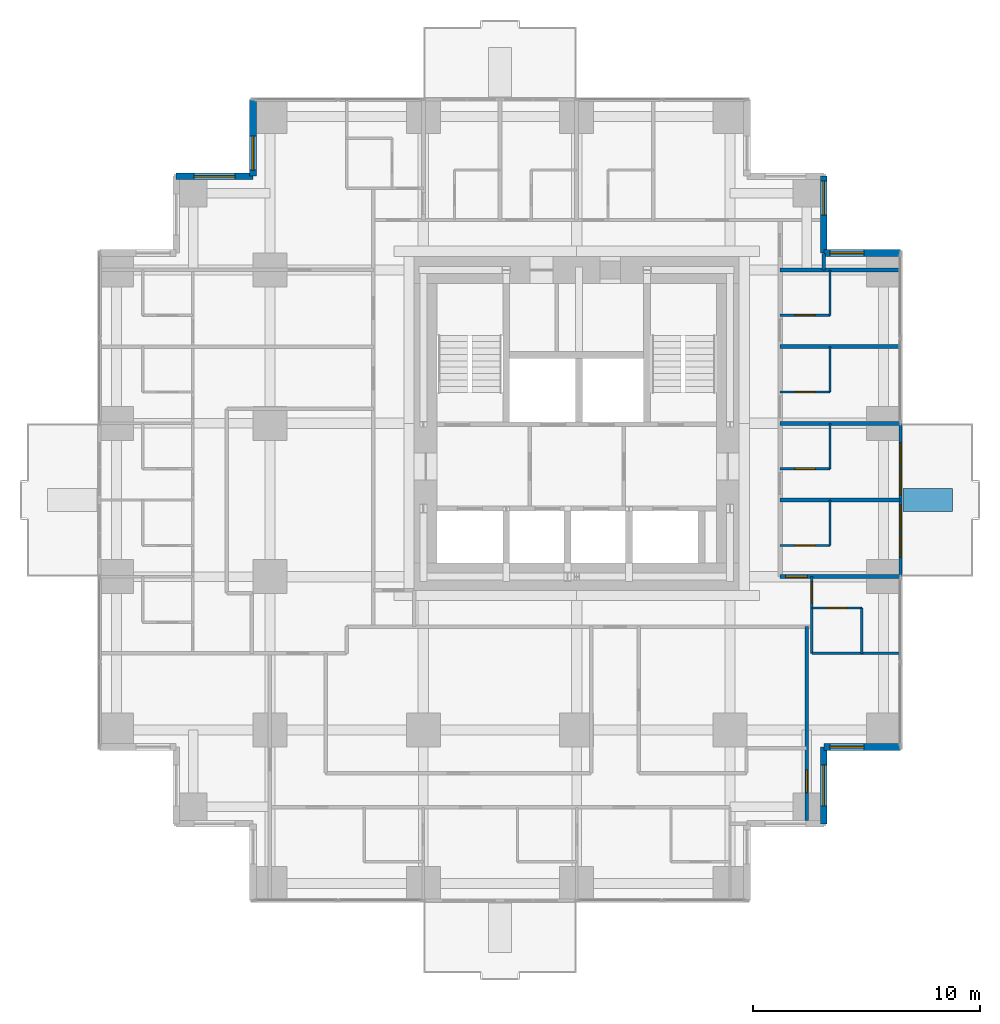
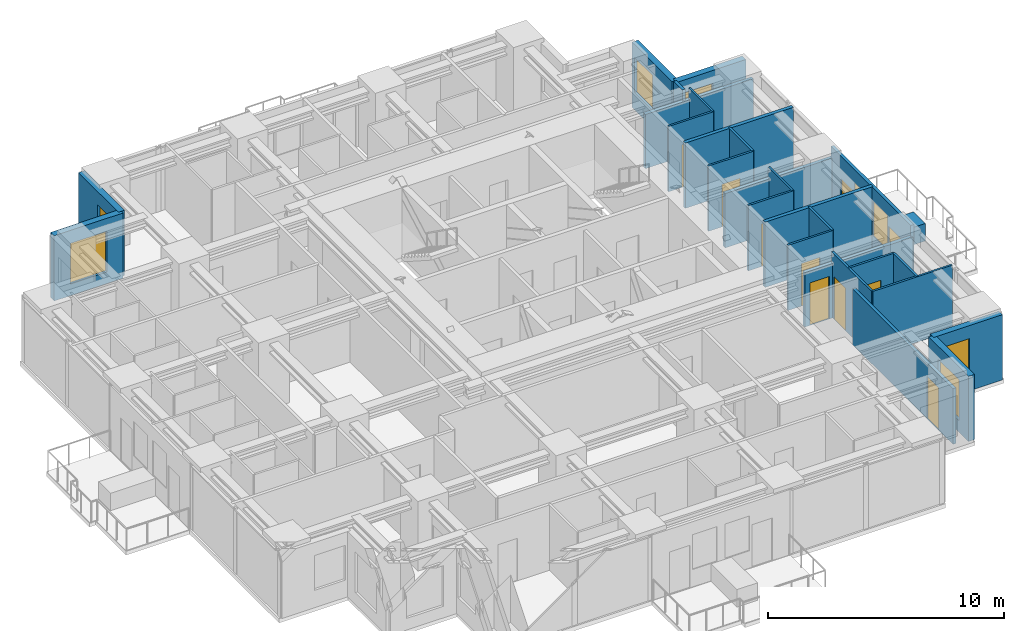
# One storey, part 8 of 10: 27 walls, 10 doors, 8 windows, 18 openings.
"""IFC4 building model written with IfcOpenShell, lengths in metres."""

from ifc_helpers import new_model, si_unit, direction, frame, frame_2d, origin, place, context, subcontext, project, spatial, rectangle, extrude, material, layer, layer_set, type_object, element, fill, save


model = new_model("IFC4")

# Units and contexts
model_context = context("Model", 3, precision=1e-05, world=origin(), true_north=direction((0.0, 1.0)))
body_context = subcontext(model_context, "Body", "Model", "MODEL_VIEW")
ifc_project = project(units=[si_unit("LENGTHUNIT", "METRE"), si_unit("AREAUNIT", "SQUARE_METRE"), si_unit("VOLUMEUNIT", "CUBIC_METRE"), si_unit("PLANEANGLEUNIT", "RADIAN"), si_unit("MASSUNIT", "GRAM", prefix="KILO")], contexts=[model_context])

# Site, building, storey
site_placement = place(None, origin())
site = spatial("IfcSite", under=ifc_project, at=site_placement, CompositionType="ELEMENT")
building_placement = place(site_placement, origin())
building = spatial("IfcBuilding", under=site, at=building_placement, Name="Nyansa Garden Tower", CompositionType="ELEMENT")
storey_placement = place(building_placement, frame((0.0, 0.0, 156.60009765625)))
storey = spatial("IfcBuildingStorey", under=building, at=storey_placement, Name="L42", CompositionType="ELEMENT", Elevation=156.60009765625)

# Wall, opening, door
ifc_material_1 = material(Name="Dense blockwork, plastered both sides, 55 dB", Category="masonry")
ifc_layer_1 = layer(ifc_material_1, 0.175048828125)
ifc_layer_set_1 = layer_set([ifc_layer_1], Name="Acoustic party wall PW175")
wall_type_1 = type_object("IfcWallType", Name="Acoustic party wall PW175", PredefinedType="PARTITIONING", material=ifc_layer_set_1)
wall_1_placement = place(storey_placement, frame((29.199951171875, 13.5, 0.0), z_axis=(0.0, 0.0, 1.0), x_axis=(1.0, 0.0, 0.0)))
wall_1 = element("IfcWall", 1, at=wall_1_placement, inside=storey, type_object=wall_type_1, Name="Party wall", PredefinedType="PARTITIONING", context=body_context, shape_type="SweptSolid", body=[
    extrude(rectangle(XDim=5.283935546875, YDim=0.175048828125, at=frame_2d((2.64208984375, 0.0))), origin(), (0.0, 0.0, 1.0), 2.805908203125),
])
opening_1_placement = place(wall_1_placement, frame((0.25, 0.0, 0.0)))
opening_1 = element("IfcOpeningElement", 2, at=opening_1_placement, cuts=wall_1, Name="Opening D14", PredefinedType="OPENING", context=body_context, shape_type="SweptSolid", body=[
    extrude(rectangle(XDim=0.949951171875, YDim=2.199951171875, at=frame_2d((0.47509765625, 1.10009765625))), frame((0.0, 0.097412109375, 0.0), z_axis=(0.0, -1.0, 0.0), x_axis=(1.0, 0.0, 0.0)), (0.0, 0.0, 1.0), 0.195068359375),
])
ifc_material_2 = material(Name="Timber flush door, 60 minute fire resisting, self-closing", Category="wood")
door_type_1 = type_object("IfcDoorType", Name="Studio entrance door D14 950x2200", OperationType="SINGLE_SWING_LEFT", PredefinedType="DOOR", material=ifc_material_2)
door_1_placement = place(opening_1_placement, origin())
door_1 = element("IfcDoor", 3, at=door_1_placement, inside=storey, type_object=door_type_1, Name="Door L42-030", OperationType="SINGLE_SWING_LEFT", OverallHeight=2.199951171875, OverallWidth=0.949951171875, PredefinedType="DOOR", context=body_context, shape_type="SweptSolid", body=[
    extrude(rectangle(XDim=0.949951171875, YDim=2.199951171875, at=frame_2d((0.47509765625, 1.10009765625))), frame((0.0, 0.02490234375, 0.0), z_axis=(0.0, -1.0, 0.0), x_axis=(1.0, 0.0, 0.0)), (0.0, 0.0, 1.0), 0.050048828125),
])
fill(opening_1, door_1)

# Walls
wall_2_placement = place(storey_placement, frame((29.199951171875, 16.875, 0.0), z_axis=(0.0, 0.0, 1.0), x_axis=(1.0, 0.0, 0.0)))
element("IfcWall", 4, at=wall_2_placement, inside=storey, type_object=wall_type_1, Name="Party wall", PredefinedType="PARTITIONING", context=body_context, shape_type="SweptSolid", body=[
    extrude(rectangle(XDim=5.283935546875, YDim=0.175048828125, at=frame_2d((2.64208984375, 0.0))), origin(), (0.0, 0.0, 1.0), 3.375),
])
wall_3_placement = place(storey_placement, frame((29.199951171875, 20.25, 0.0), z_axis=(0.0, 0.0, 1.0), x_axis=(1.0, 0.0, 0.0)))
element("IfcWall", 5, at=wall_3_placement, inside=storey, type_object=wall_type_1, Name="Party wall", PredefinedType="PARTITIONING", context=body_context, shape_type="SweptSolid", body=[
    extrude(rectangle(XDim=5.283935546875, YDim=0.175048828125, at=frame_2d((2.64208984375, 0.0))), origin(), (0.0, 0.0, 1.0), 2.805908203125),
])
wall_4_placement = place(storey_placement, frame((29.199951171875, 23.625, 0.0), z_axis=(0.0, 0.0, 1.0), x_axis=(1.0, 0.0, 0.0)))
element("IfcWall", 6, at=wall_4_placement, inside=storey, type_object=wall_type_1, Name="Party wall", PredefinedType="PARTITIONING", context=body_context, shape_type="SweptSolid", body=[
    extrude(rectangle(XDim=5.283935546875, YDim=0.175048828125, at=frame_2d((2.64208984375, 0.0))), origin(), (0.0, 0.0, 1.0), 3.375),
])
wall_5_placement = place(storey_placement, frame((29.199951171875, 27.0, 0.0), z_axis=(0.0, 0.0, 1.0), x_axis=(1.0, 0.0, 0.0)))
element("IfcWall", 7, at=wall_5_placement, inside=storey, type_object=wall_type_1, Name="Party wall", PredefinedType="PARTITIONING", context=body_context, shape_type="SweptSolid", body=[
    extrude(rectangle(XDim=5.283935546875, YDim=0.175048828125, at=frame_2d((2.64208984375, 0.0))), origin(), (0.0, 0.0, 1.0), 2.805908203125),
])

# Wall, openings, doors, windows
ifc_material_3 = material(Name="Black aluminium framed glazed screen", Category="aluminium")
ifc_layer_2 = layer(ifc_material_3, 0.14990234375)
ifc_layer_set_2 = layer_set([ifc_layer_2], Name="Balcony screen wall BW150")
wall_type_2 = type_object("IfcWallType", Name="Balcony screen wall BW150", PredefinedType="SOLIDWALL", material=ifc_layer_set_2)
wall_6_placement = place(storey_placement, frame((34.5, 20.25, 0.0), z_axis=(0.0, 0.0, 1.0), x_axis=(0.0, -1.0, 0.0)))
wall_6 = element("IfcWall", 8, at=wall_6_placement, inside=storey, type_object=wall_type_2, Name="Glazed screen wall L42 E", PredefinedType="SOLIDWALL", context=body_context, shape_type="SweptSolid", body=[
    extrude(rectangle(XDim=6.75, YDim=0.14990234375, at=frame_2d((3.375, 0.0))), origin(), (0.0, 0.0, 1.0), 3.375),
])
opening_2_placement = place(wall_6_placement, frame((0.862548828125, 0.0, 0.0)))
opening_2 = element("IfcOpeningElement", 9, at=opening_2_placement, cuts=wall_6, Name="Opening D20", PredefinedType="OPENING", context=body_context, shape_type="SweptSolid", body=[
    extrude(rectangle(XDim=1.0, YDim=2.199951171875, at=frame_2d((0.5, 1.10009765625))), frame((0.0, 0.0849609375, 0.0), z_axis=(0.0, -1.0, 0.0), x_axis=(1.0, 0.0, 0.0)), (0.0, 0.0, 1.0), 0.169921875),
])
opening_3_placement = place(wall_6_placement, frame((1.97509765625, 0.0, 0.89990234375)))
opening_3 = element("IfcOpeningElement", 10, at=opening_3_placement, cuts=wall_6, Name="Opening W6", PredefinedType="OPENING", context=body_context, shape_type="SweptSolid", body=[
    extrude(rectangle(XDim=1.199951171875, YDim=1.800048828125, at=frame_2d((0.60009765625, 0.89990234375))), frame((0.0, 0.0849609375, 0.0), z_axis=(0.0, -1.0, 0.0), x_axis=(1.0, 0.0, 0.0)), (0.0, 0.0, 1.0), 0.169921875),
])
opening_4_placement = place(wall_6_placement, frame((4.887451171875, 0.0, 0.0)))
opening_4 = element("IfcOpeningElement", 11, at=opening_4_placement, cuts=wall_6, Name="Opening D20", PredefinedType="OPENING", context=body_context, shape_type="SweptSolid", body=[
    extrude(rectangle(XDim=1.0, YDim=2.199951171875, at=frame_2d((0.5, 1.10009765625))), frame((0.0, 0.0849609375, 0.0), z_axis=(0.0, -1.0, 0.0), x_axis=(1.0, 0.0, 0.0)), (0.0, 0.0, 1.0), 0.169921875),
])
opening_5_placement = place(wall_6_placement, frame((3.574951171875, 0.0, 0.89990234375)))
opening_5 = element("IfcOpeningElement", 12, at=opening_5_placement, cuts=wall_6, Name="Opening W6", PredefinedType="OPENING", context=body_context, shape_type="SweptSolid", body=[
    extrude(rectangle(XDim=1.199951171875, YDim=1.800048828125, at=frame_2d((0.60009765625, 0.89990234375))), frame((0.0, 0.0849609375, 0.0), z_axis=(0.0, -1.0, 0.0), x_axis=(1.0, 0.0, 0.0)), (0.0, 0.0, 1.0), 0.169921875),
])
ifc_material_4 = material(Name="Black aluminium framed glazed door", Category="aluminium")
door_type_2 = type_object("IfcDoorType", Name="Balcony door D20 1000x2200", OperationType="NOTDEFINED", PredefinedType="DOOR", material=ifc_material_4)
door_2_placement = place(opening_2_placement, origin())
door_2 = element("IfcDoor", 13, at=door_2_placement, inside=storey, type_object=door_type_2, Name="Balcony door L42", OperationType="SINGLE_SWING_LEFT", OverallHeight=2.199951171875, OverallWidth=1.0, PredefinedType="DOOR", context=body_context, shape_type="SweptSolid", body=[
    extrude(rectangle(XDim=1.0, YDim=2.199951171875, at=frame_2d((0.5, 1.10009765625))), frame((0.0, 0.02490234375, 0.0), z_axis=(0.0, -1.0, 0.0), x_axis=(1.0, 0.0, 0.0)), (0.0, 0.0, 1.0), 0.050048828125),
])
fill(opening_2, door_2)
door_3_placement = place(opening_4_placement, origin())
door_3 = element("IfcDoor", 14, at=door_3_placement, inside=storey, type_object=door_type_2, Name="Balcony door L42", OperationType="SINGLE_SWING_RIGHT", OverallHeight=2.199951171875, OverallWidth=1.0, PredefinedType="DOOR", context=body_context, shape_type="SweptSolid", body=[
    extrude(rectangle(XDim=1.0, YDim=2.199951171875, at=frame_2d((0.5, 1.10009765625))), frame((0.0, 0.02490234375, 0.0), z_axis=(0.0, -1.0, 0.0), x_axis=(1.0, 0.0, 0.0)), (0.0, 0.0, 1.0), 0.050048828125),
])
fill(opening_4, door_3)
ifc_material_5 = material(Name="Black aluminium frame, dark tinted double glazing", Category="aluminium")
window_type_1 = type_object("IfcWindowType", Name="Balcony window W6 1200x1800", PartitioningType="SINGLE_PANEL", PredefinedType="WINDOW", material=ifc_material_5)
window_1_placement = place(opening_3_placement, origin())
window_1 = element("IfcWindow", 15, at=window_1_placement, inside=storey, type_object=window_type_1, Name="Window L42", OverallHeight=1.800048828125, OverallWidth=1.199951171875, PartitioningType="SINGLE_PANEL", PredefinedType="WINDOW", context=body_context, shape_type="SweptSolid", body=[
    extrude(rectangle(XDim=1.199951171875, YDim=1.800048828125, at=frame_2d((0.60009765625, 0.89990234375))), frame((0.0, 0.030029296875, 0.0), z_axis=(0.0, -1.0, 0.0), x_axis=(1.0, 0.0, 0.0)), (0.0, 0.0, 1.0), 0.06005859375),
])
fill(opening_3, window_1)
window_2_placement = place(opening_5_placement, origin())
window_2 = element("IfcWindow", 16, at=window_2_placement, inside=storey, type_object=window_type_1, Name="Window L42", OverallHeight=1.800048828125, OverallWidth=1.199951171875, PartitioningType="SINGLE_PANEL", PredefinedType="WINDOW", context=body_context, shape_type="SweptSolid", body=[
    extrude(rectangle(XDim=1.199951171875, YDim=1.800048828125, at=frame_2d((0.60009765625, 0.89990234375))), frame((0.0, 0.030029296875, 0.0), z_axis=(0.0, -1.0, 0.0), x_axis=(1.0, 0.0, 0.0)), (0.0, 0.0, 1.0), 0.06005859375),
])
fill(opening_5, window_2)

# Wall, opening, door
ifc_material_6 = material(Name="Blockwork, plastered both sides", Category="masonry")
ifc_layer_3 = layer(ifc_material_6, 0.14990234375)
ifc_layer_set_3 = layer_set([ifc_layer_3], Name="Partition PW150")
wall_type_3 = type_object("IfcWallType", Name="Partition PW150", PredefinedType="PARTITIONING", material=ifc_layer_set_3)
wall_7_placement = place(storey_placement, frame((30.375, 2.77490234375, 0.0), z_axis=(0.0, 0.0, 1.0), x_axis=(0.0, 1.0, 0.0)))
wall_7 = element("IfcWall", 17, at=wall_7_placement, inside=storey, type_object=wall_type_3, Name="Partition", PredefinedType="PARTITIONING", context=body_context, shape_type="SweptSolid", body=[
    extrude(rectangle(XDim=8.525146484375, YDim=0.14990234375, at=frame_2d((4.2626953125, 0.0))), origin(), (0.0, 0.0, 1.0), 2.876953125),
])
opening_6_placement = place(wall_7_placement, frame((1.216064453125, 0.0, 0.0)))
opening_6 = element("IfcOpeningElement", 18, at=opening_6_placement, cuts=wall_7, Name="Opening D03", PredefinedType="OPENING", context=body_context, shape_type="SweptSolid", body=[
    extrude(rectangle(XDim=1.0, YDim=2.199951171875, at=frame_2d((0.5, 1.10009765625))), frame((0.0, 0.0849609375, 0.0), z_axis=(0.0, -1.0, 0.0), x_axis=(1.0, 0.0, 0.0)), (0.0, 0.0, 1.0), 0.169921875),
])
ifc_material_7 = material(Name="Timber flush door, 60 minute fire resisting", Category="wood")
door_type_3 = type_object("IfcDoorType", Name="Cluster entrance door D03 1000x2200", OperationType="SINGLE_SWING_LEFT", PredefinedType="DOOR", material=ifc_material_7)
door_4_placement = place(opening_6_placement, origin())
door_4 = element("IfcDoor", 19, at=door_4_placement, inside=storey, type_object=door_type_3, Name="Door L42-027", OperationType="SINGLE_SWING_LEFT", OverallHeight=2.199951171875, OverallWidth=1.0, PredefinedType="DOOR", context=body_context, shape_type="SweptSolid", body=[
    extrude(rectangle(XDim=1.0, YDim=2.199951171875, at=frame_2d((0.5, 1.10009765625))), frame((0.0, 0.02490234375, 0.0), z_axis=(0.0, -1.0, 0.0), x_axis=(1.0, 0.0, 0.0)), (0.0, 0.0, 1.0), 0.050048828125),
])
fill(opening_6, door_4)

# Wall
wall_8_placement = place(storey_placement, frame((31.125, 27.0, 0.0), z_axis=(0.0, 0.0, 1.0), x_axis=(0.0, 1.0, 0.0)))
element("IfcWall", 20, at=wall_8_placement, inside=storey, type_object=wall_type_3, Name="Partition", PredefinedType="PARTITIONING", context=body_context, shape_type="SweptSolid", body=[
    extrude(rectangle(XDim=0.73388671875, YDim=0.14990234375, at=frame_2d((0.366943359375, 0.0))), origin(), (0.0, 0.0, 1.0), 3.375),
])

# Wall, opening, window
ifc_material_8 = material(Name="Turquoise glazed tile on concrete blockwork", Category="masonry")
ifc_layer_4 = layer(ifc_material_8, 0.300048828125)
ifc_layer_set_4 = layer_set([ifc_layer_4], Name="Tiled corner wall TW300")
wall_type_4 = type_object("IfcWallType", Name="Tiled corner wall TW300", PredefinedType="SOLIDWALL", material=ifc_layer_set_4)
wall_9_placement = place(storey_placement, frame((34.5, 27.75, 0.0), z_axis=(0.0, 0.0, 1.0), x_axis=(-1.0, 0.0, 0.0)))
wall_9 = element("IfcWall", 21, at=wall_9_placement, inside=storey, type_object=wall_type_4, Name="Tiled corner wall L42", PredefinedType="SOLIDWALL", context=body_context, shape_type="SweptSolid", body=[
    extrude(rectangle(XDim=3.375, YDim=0.300048828125, at=frame_2d((1.6875, 0.0))), origin(), (0.0, 0.0, 1.0), 3.375),
])
opening_7_placement = place(wall_9_placement, frame((1.607421875, 0.0, 0.89990234375)))
opening_7 = element("IfcOpeningElement", 22, at=opening_7_placement, cuts=wall_9, Name="Opening W1", PredefinedType="OPENING", context=body_context, shape_type="SweptSolid", body=[
    extrude(rectangle(XDim=1.5, YDim=1.800048828125, at=frame_2d((0.75, 0.89990234375))), frame((0.0, 0.159912109375, 0.0), z_axis=(0.0, -1.0, 0.0), x_axis=(1.0, 0.0, 0.0)), (0.0, 0.0, 1.0), 0.320068359375),
])
ifc_material_9 = material(Name="Black aluminium frame, dark tinted double glazing", Category="aluminium")
window_type_2 = type_object("IfcWindowType", Name="Window W1 1500x1800", PartitioningType="SINGLE_PANEL", PredefinedType="WINDOW", material=ifc_material_9)
window_3_placement = place(opening_7_placement, origin())
window_3 = element("IfcWindow", 23, at=window_3_placement, inside=storey, type_object=window_type_2, Name="Corner window L42", OverallHeight=1.800048828125, OverallWidth=1.5, PartitioningType="SINGLE_PANEL", PredefinedType="WINDOW", context=body_context, shape_type="SweptSolid", body=[
    extrude(rectangle(XDim=1.5, YDim=1.800048828125, at=frame_2d((0.75, 0.89990234375))), frame((0.0, 0.030029296875, 0.0), z_axis=(0.0, -1.0, 0.0), x_axis=(1.0, 0.0, 0.0)), (0.0, 0.0, 1.0), 0.06005859375),
])
fill(opening_7, window_3)

wall_10_placement = place(storey_placement, frame((31.125, 27.75, 0.0), z_axis=(0.0, 0.0, 1.0), x_axis=(0.0, 1.0, 0.0)))
wall_10 = element("IfcWall", 24, at=wall_10_placement, inside=storey, type_object=wall_type_4, Name="Tiled corner wall L42", PredefinedType="SOLIDWALL", context=body_context, shape_type="SweptSolid", body=[
    extrude(rectangle(XDim=3.375, YDim=0.300048828125, at=frame_2d((1.6875, 0.0))), origin(), (0.0, 0.0, 1.0), 3.375),
])
opening_8_placement = place(wall_10_placement, frame((1.66259765625, 0.0, 0.89990234375)))
opening_8 = element("IfcOpeningElement", 25, at=opening_8_placement, cuts=wall_10, Name="Opening W1", PredefinedType="OPENING", context=body_context, shape_type="SweptSolid", body=[
    extrude(rectangle(XDim=1.5, YDim=1.800048828125, at=frame_2d((0.75, 0.89990234375))), frame((0.0, 0.159912109375, 0.0), z_axis=(0.0, -1.0, 0.0), x_axis=(1.0, 0.0, 0.0)), (0.0, 0.0, 1.0), 0.320068359375),
])
window_4_placement = place(opening_8_placement, origin())
window_4 = element("IfcWindow", 26, at=window_4_placement, inside=storey, type_object=window_type_2, Name="Corner window L42", OverallHeight=1.800048828125, OverallWidth=1.5, PartitioningType="SINGLE_PANEL", PredefinedType="WINDOW", context=body_context, shape_type="SweptSolid", body=[
    extrude(rectangle(XDim=1.5, YDim=1.800048828125, at=frame_2d((0.75, 0.89990234375))), frame((0.0, 0.030029296875, 0.0), z_axis=(0.0, -1.0, 0.0), x_axis=(1.0, 0.0, 0.0)), (0.0, 0.0, 1.0), 0.06005859375),
])
fill(opening_8, window_4)

wall_11_placement = place(storey_placement, frame((6.0, 34.5, 0.0), z_axis=(0.0, 0.0, 1.0), x_axis=(0.0, -1.0, 0.0)))
wall_11 = element("IfcWall", 27, at=wall_11_placement, inside=storey, type_object=wall_type_4, Name="Tiled corner wall L42", PredefinedType="SOLIDWALL", context=body_context, shape_type="SweptSolid", body=[
    extrude(rectangle(XDim=3.375, YDim=0.300048828125, at=frame_2d((1.6875, 0.0))), origin(), (0.0, 0.0, 1.0), 3.375),
])
opening_9_placement = place(wall_11_placement, frame((1.607421875, 0.0, 0.89990234375)))
opening_9 = element("IfcOpeningElement", 28, at=opening_9_placement, cuts=wall_11, Name="Opening W1", PredefinedType="OPENING", context=body_context, shape_type="SweptSolid", body=[
    extrude(rectangle(XDim=1.5, YDim=1.800048828125, at=frame_2d((0.75, 0.89990234375))), frame((0.0, 0.159912109375, 0.0), z_axis=(0.0, -1.0, 0.0), x_axis=(1.0, 0.0, 0.0)), (0.0, 0.0, 1.0), 0.320068359375),
])
window_5_placement = place(opening_9_placement, origin())
window_5 = element("IfcWindow", 29, at=window_5_placement, inside=storey, type_object=window_type_2, Name="Corner window L42", OverallHeight=1.800048828125, OverallWidth=1.5, PartitioningType="SINGLE_PANEL", PredefinedType="WINDOW", context=body_context, shape_type="SweptSolid", body=[
    extrude(rectangle(XDim=1.5, YDim=1.800048828125, at=frame_2d((0.75, 0.89990234375))), frame((0.0, 0.030029296875, 0.0), z_axis=(0.0, -1.0, 0.0), x_axis=(1.0, 0.0, 0.0)), (0.0, 0.0, 1.0), 0.06005859375),
])
fill(opening_9, window_5)

wall_12_placement = place(storey_placement, frame((6.0, 31.125, 0.0), z_axis=(0.0, 0.0, 1.0), x_axis=(-1.0, 0.0, 0.0)))
wall_12 = element("IfcWall", 30, at=wall_12_placement, inside=storey, type_object=wall_type_4, Name="Tiled corner wall L42", PredefinedType="SOLIDWALL", context=body_context, shape_type="SweptSolid", body=[
    extrude(rectangle(XDim=3.375, YDim=0.300048828125, at=frame_2d((1.6875, 0.0))), origin(), (0.0, 0.0, 1.0), 3.375),
])
opening_10_placement = place(wall_12_placement, frame((0.78759765625, 0.0, 0.60009765625)))
opening_10 = element("IfcOpeningElement", 31, at=opening_10_placement, cuts=wall_12, Name="Opening W2", PredefinedType="OPENING", context=body_context, shape_type="SweptSolid", body=[
    extrude(rectangle(XDim=1.800048828125, YDim=2.10009765625, at=frame_2d((0.89990234375, 1.050048828125))), frame((0.0, 0.159912109375, 0.0), z_axis=(0.0, -1.0, 0.0), x_axis=(1.0, 0.0, 0.0)), (0.0, 0.0, 1.0), 0.320068359375),
])
ifc_material_10 = material(Name="Black aluminium frame, dark tinted double glazing", Category="aluminium")
window_type_3 = type_object("IfcWindowType", Name="Window W2 1800x2100", PartitioningType="SINGLE_PANEL", PredefinedType="WINDOW", material=ifc_material_10)
window_6_placement = place(opening_10_placement, origin())
window_6 = element("IfcWindow", 32, at=window_6_placement, inside=storey, type_object=window_type_3, Name="Corner window L42", OverallHeight=2.10009765625, OverallWidth=1.800048828125, PartitioningType="SINGLE_PANEL", PredefinedType="WINDOW", context=body_context, shape_type="SweptSolid", body=[
    extrude(rectangle(XDim=1.800048828125, YDim=2.10009765625, at=frame_2d((0.89990234375, 1.050048828125))), frame((0.0, 0.030029296875, 0.0), z_axis=(0.0, -1.0, 0.0), x_axis=(1.0, 0.0, 0.0)), (0.0, 0.0, 1.0), 0.06005859375),
])
fill(opening_10, window_6)

wall_13_placement = place(storey_placement, frame((31.125, 2.625, 0.0), z_axis=(0.0, 0.0, 1.0), x_axis=(0.0, 1.0, 0.0)))
wall_13 = element("IfcWall", 33, at=wall_13_placement, inside=storey, type_object=wall_type_4, Name="Tiled corner wall L42", PredefinedType="SOLIDWALL", context=body_context, shape_type="SweptSolid", body=[
    extrude(rectangle(XDim=3.375, YDim=0.300048828125, at=frame_2d((1.6875, 0.0))), origin(), (0.0, 0.0, 1.0), 3.375),
])
opening_11_placement = place(wall_13_placement, frame((0.78759765625, 0.0, 0.60009765625)))
opening_11 = element("IfcOpeningElement", 34, at=opening_11_placement, cuts=wall_13, Name="Opening W2", PredefinedType="OPENING", context=body_context, shape_type="SweptSolid", body=[
    extrude(rectangle(XDim=1.800048828125, YDim=2.10009765625, at=frame_2d((0.89990234375, 1.050048828125))), frame((0.0, 0.159912109375, 0.0), z_axis=(0.0, -1.0, 0.0), x_axis=(1.0, 0.0, 0.0)), (0.0, 0.0, 1.0), 0.320068359375),
])
window_7_placement = place(opening_11_placement, origin())
window_7 = element("IfcWindow", 35, at=window_7_placement, inside=storey, type_object=window_type_3, Name="Corner window L42", OverallHeight=2.10009765625, OverallWidth=1.800048828125, PartitioningType="SINGLE_PANEL", PredefinedType="WINDOW", context=body_context, shape_type="SweptSolid", body=[
    extrude(rectangle(XDim=1.800048828125, YDim=2.10009765625, at=frame_2d((0.89990234375, 1.050048828125))), frame((0.0, 0.030029296875, 0.0), z_axis=(0.0, -1.0, 0.0), x_axis=(1.0, 0.0, 0.0)), (0.0, 0.0, 1.0), 0.06005859375),
])
fill(opening_11, window_7)

wall_14_placement = place(storey_placement, frame((31.125, 6.0, 0.0), z_axis=(0.0, 0.0, 1.0), x_axis=(1.0, 0.0, 0.0)))
wall_14 = element("IfcWall", 36, at=wall_14_placement, inside=storey, type_object=wall_type_4, Name="Tiled corner wall L42", PredefinedType="SOLIDWALL", context=body_context, shape_type="SweptSolid", body=[
    extrude(rectangle(XDim=3.375, YDim=0.300048828125, at=frame_2d((1.6875, 0.0))), origin(), (0.0, 0.0, 1.0), 3.375),
])
opening_12_placement = place(wall_14_placement, frame((0.267578125, 0.0, 0.89990234375)))
opening_12 = element("IfcOpeningElement", 37, at=opening_12_placement, cuts=wall_14, Name="Opening W1", PredefinedType="OPENING", context=body_context, shape_type="SweptSolid", body=[
    extrude(rectangle(XDim=1.5, YDim=1.800048828125, at=frame_2d((0.75, 0.89990234375))), frame((0.0, 0.159912109375, 0.0), z_axis=(0.0, -1.0, 0.0), x_axis=(1.0, 0.0, 0.0)), (0.0, 0.0, 1.0), 0.320068359375),
])
window_8_placement = place(opening_12_placement, origin())
window_8 = element("IfcWindow", 38, at=window_8_placement, inside=storey, type_object=window_type_2, Name="Corner window L42", OverallHeight=1.800048828125, OverallWidth=1.5, PartitioningType="SINGLE_PANEL", PredefinedType="WINDOW", context=body_context, shape_type="SweptSolid", body=[
    extrude(rectangle(XDim=1.5, YDim=1.800048828125, at=frame_2d((0.75, 0.89990234375))), frame((0.0, 0.030029296875, 0.0), z_axis=(0.0, -1.0, 0.0), x_axis=(1.0, 0.0, 0.0)), (0.0, 0.0, 1.0), 0.06005859375),
])
fill(opening_12, window_8)

# Wall
ifc_material_11 = material(Name="Concrete C40/50 planter, waterproofed", Category="concrete")
ifc_layer_5 = layer(ifc_material_11, 1.0)
ifc_layer_set_5 = layer_set([ifc_layer_5], Name="Tree planter TP1")
wall_type_5 = type_object("IfcWallType", Name="Tree planter TP1", PredefinedType="USERDEFINED", material=ifc_layer_set_5)
wall_15_placement = place(storey_placement, frame((34.60009765625, 16.875, 0.0), z_axis=(0.0, 0.0, 1.0), x_axis=(1.0, 0.0, 0.0)))
element("IfcWall", 39, at=wall_15_placement, inside=storey, type_object=wall_type_5, Name="Tree planter L42", ObjectType="TREE PLANTER", PredefinedType="USERDEFINED", context=body_context, shape_type="SweptSolid", body=[
    extrude(rectangle(XDim=2.199951171875, YDim=1.0, at=frame_2d((1.10009765625, 0.0))), origin(), (0.0, 0.0, 1.0), 0.89990234375),
])

# Wall, opening, door
ifc_material_12 = material(Name="Moisture resistant board on steel studs, tiled", Category="steel")
ifc_layer_6 = layer(ifc_material_12, 0.10009765625)
ifc_layer_set_6 = layer_set([ifc_layer_6], Name="Wet wall PW100")
wall_type_6 = type_object("IfcWallType", Name="Wet wall PW100", PredefinedType="PARTITIONING", material=ifc_layer_set_6)
wall_16_placement = place(storey_placement, frame((29.199951171875, 14.875, 0.0), z_axis=(0.0, 0.0, 1.0), x_axis=(1.0, 0.0, 0.0)))
wall_16 = element("IfcWall", 40, at=wall_16_placement, inside=storey, type_object=wall_type_6, Name="Wet wall", PredefinedType="PARTITIONING", context=body_context, shape_type="SweptSolid", body=[
    extrude(rectangle(XDim=2.199951171875, YDim=0.10009765625, at=frame_2d((1.10009765625, 0.0))), origin(), (0.0, 0.0, 1.0), 3.375),
])
opening_13_placement = place(wall_16_placement, frame((0.64990234375, 0.0, 0.0)))
opening_13 = element("IfcOpeningElement", 41, at=opening_13_placement, cuts=wall_16, Name="Opening D02", PredefinedType="OPENING", context=body_context, shape_type="SweptSolid", body=[
    extrude(rectangle(XDim=0.89990234375, YDim=2.199951171875, at=frame_2d((0.449951171875, 1.10009765625))), frame((0.0, 0.06005859375, 0.0), z_axis=(0.0, -1.0, 0.0), x_axis=(1.0, 0.0, 0.0)), (0.0, 0.0, 1.0), 0.1201171875),
])
ifc_material_13 = material(Name="Timber flush door", Category="wood")
door_type_4 = type_object("IfcDoorType", Name="En-suite door D02 900x2200", OperationType="SINGLE_SWING_RIGHT", PredefinedType="DOOR", material=ifc_material_13)
door_5_placement = place(opening_13_placement, origin())
door_5 = element("IfcDoor", 42, at=door_5_placement, inside=storey, type_object=door_type_4, Name="Door L42-031", OperationType="SINGLE_SWING_RIGHT", OverallHeight=2.199951171875, OverallWidth=0.89990234375, PredefinedType="DOOR", context=body_context, shape_type="SweptSolid", body=[
    extrude(rectangle(XDim=0.89990234375, YDim=2.199951171875, at=frame_2d((0.449951171875, 1.10009765625))), frame((0.0, 0.02490234375, 0.0), z_axis=(0.0, -1.0, 0.0), x_axis=(1.0, 0.0, 0.0)), (0.0, 0.0, 1.0), 0.050048828125),
])
fill(opening_13, door_5)

wall_17_placement = place(storey_placement, frame((29.199951171875, 18.25, 0.0), z_axis=(0.0, 0.0, 1.0), x_axis=(1.0, 0.0, 0.0)))
wall_17 = element("IfcWall", 43, at=wall_17_placement, inside=storey, type_object=wall_type_6, Name="Wet wall", PredefinedType="PARTITIONING", context=body_context, shape_type="SweptSolid", body=[
    extrude(rectangle(XDim=2.199951171875, YDim=0.10009765625, at=frame_2d((1.10009765625, 0.0))), origin(), (0.0, 0.0, 1.0), 3.375),
])
opening_14_placement = place(wall_17_placement, frame((0.64990234375, 0.0, 0.0)))
opening_14 = element("IfcOpeningElement", 44, at=opening_14_placement, cuts=wall_17, Name="Opening D02", PredefinedType="OPENING", context=body_context, shape_type="SweptSolid", body=[
    extrude(rectangle(XDim=0.89990234375, YDim=2.199951171875, at=frame_2d((0.449951171875, 1.10009765625))), frame((0.0, 0.06005859375, 0.0), z_axis=(0.0, -1.0, 0.0), x_axis=(1.0, 0.0, 0.0)), (0.0, 0.0, 1.0), 0.1201171875),
])
door_6_placement = place(opening_14_placement, origin())
door_6 = element("IfcDoor", 45, at=door_6_placement, inside=storey, type_object=door_type_4, Name="Door L42-033", OperationType="SINGLE_SWING_RIGHT", OverallHeight=2.199951171875, OverallWidth=0.89990234375, PredefinedType="DOOR", context=body_context, shape_type="SweptSolid", body=[
    extrude(rectangle(XDim=0.89990234375, YDim=2.199951171875, at=frame_2d((0.449951171875, 1.10009765625))), frame((0.0, 0.02490234375, 0.0), z_axis=(0.0, -1.0, 0.0), x_axis=(1.0, 0.0, 0.0)), (0.0, 0.0, 1.0), 0.050048828125),
])
fill(opening_14, door_6)

wall_18_placement = place(storey_placement, frame((29.199951171875, 21.625, 0.0), z_axis=(0.0, 0.0, 1.0), x_axis=(1.0, 0.0, 0.0)))
wall_18 = element("IfcWall", 46, at=wall_18_placement, inside=storey, type_object=wall_type_6, Name="Wet wall", PredefinedType="PARTITIONING", context=body_context, shape_type="SweptSolid", body=[
    extrude(rectangle(XDim=2.199951171875, YDim=0.10009765625, at=frame_2d((1.10009765625, 0.0))), origin(), (0.0, 0.0, 1.0), 3.375),
])
opening_15_placement = place(wall_18_placement, frame((0.64990234375, 0.0, 0.0)))
opening_15 = element("IfcOpeningElement", 47, at=opening_15_placement, cuts=wall_18, Name="Opening D02", PredefinedType="OPENING", context=body_context, shape_type="SweptSolid", body=[
    extrude(rectangle(XDim=0.89990234375, YDim=2.199951171875, at=frame_2d((0.449951171875, 1.10009765625))), frame((0.0, 0.06005859375, 0.0), z_axis=(0.0, -1.0, 0.0), x_axis=(1.0, 0.0, 0.0)), (0.0, 0.0, 1.0), 0.1201171875),
])
door_7_placement = place(opening_15_placement, origin())
door_7 = element("IfcDoor", 48, at=door_7_placement, inside=storey, type_object=door_type_4, Name="Door L42-035", OperationType="SINGLE_SWING_RIGHT", OverallHeight=2.199951171875, OverallWidth=0.89990234375, PredefinedType="DOOR", context=body_context, shape_type="SweptSolid", body=[
    extrude(rectangle(XDim=0.89990234375, YDim=2.199951171875, at=frame_2d((0.449951171875, 1.10009765625))), frame((0.0, 0.02490234375, 0.0), z_axis=(0.0, -1.0, 0.0), x_axis=(1.0, 0.0, 0.0)), (0.0, 0.0, 1.0), 0.050048828125),
])
fill(opening_15, door_7)

wall_19_placement = place(storey_placement, frame((29.199951171875, 25.0, 0.0), z_axis=(0.0, 0.0, 1.0), x_axis=(1.0, 0.0, 0.0)))
wall_19 = element("IfcWall", 49, at=wall_19_placement, inside=storey, type_object=wall_type_6, Name="Wet wall", PredefinedType="PARTITIONING", context=body_context, shape_type="SweptSolid", body=[
    extrude(rectangle(XDim=2.199951171875, YDim=0.10009765625, at=frame_2d((1.10009765625, 0.0))), origin(), (0.0, 0.0, 1.0), 3.375),
])
opening_16_placement = place(wall_19_placement, frame((0.64990234375, 0.0, 0.0)))
opening_16 = element("IfcOpeningElement", 50, at=opening_16_placement, cuts=wall_19, Name="Opening D02", PredefinedType="OPENING", context=body_context, shape_type="SweptSolid", body=[
    extrude(rectangle(XDim=0.89990234375, YDim=2.199951171875, at=frame_2d((0.449951171875, 1.10009765625))), frame((0.0, 0.06005859375, 0.0), z_axis=(0.0, -1.0, 0.0), x_axis=(1.0, 0.0, 0.0)), (0.0, 0.0, 1.0), 0.1201171875),
])
door_8_placement = place(opening_16_placement, origin())
door_8 = element("IfcDoor", 51, at=door_8_placement, inside=storey, type_object=door_type_4, Name="Door L42-037", OperationType="SINGLE_SWING_RIGHT", OverallHeight=2.199951171875, OverallWidth=0.89990234375, PredefinedType="DOOR", context=body_context, shape_type="SweptSolid", body=[
    extrude(rectangle(XDim=0.89990234375, YDim=2.199951171875, at=frame_2d((0.449951171875, 1.10009765625))), frame((0.0, 0.02490234375, 0.0), z_axis=(0.0, -1.0, 0.0), x_axis=(1.0, 0.0, 0.0)), (0.0, 0.0, 1.0), 0.050048828125),
])
fill(opening_16, door_8)

wall_20_placement = place(storey_placement, frame((30.60009765625, 10.125, 0.0), z_axis=(0.0, 0.0, 1.0), x_axis=(0.0, 1.0, 0.0)))
wall_20 = element("IfcWall", 52, at=wall_20_placement, inside=storey, type_object=wall_type_6, Name="Wet wall", PredefinedType="PARTITIONING", context=body_context, shape_type="SweptSolid", body=[
    extrude(rectangle(XDim=3.375, YDim=0.10009765625, at=frame_2d((1.6875, 0.0))), origin(), (0.0, 0.0, 1.0), 3.375),
])
opening_17_placement = place(wall_20_placement, frame((2.199951171875, 0.0, 0.0)))
opening_17 = element("IfcOpeningElement", 53, at=opening_17_placement, cuts=wall_20, Name="Opening D14", PredefinedType="OPENING", context=body_context, shape_type="SweptSolid", body=[
    extrude(rectangle(XDim=0.949951171875, YDim=2.199951171875, at=frame_2d((0.47509765625, 1.10009765625))), frame((0.0, 0.06005859375, 0.0), z_axis=(0.0, -1.0, 0.0), x_axis=(1.0, 0.0, 0.0)), (0.0, 0.0, 1.0), 0.1201171875),
])
door_9_placement = place(opening_17_placement, origin())
door_9 = element("IfcDoor", 54, at=door_9_placement, inside=storey, type_object=door_type_1, Name="Door L42-028", OperationType="SINGLE_SWING_LEFT", OverallHeight=2.199951171875, OverallWidth=0.949951171875, PredefinedType="DOOR", context=body_context, shape_type="SweptSolid", body=[
    extrude(rectangle(XDim=0.949951171875, YDim=2.199951171875, at=frame_2d((0.47509765625, 1.10009765625))), frame((0.0, 0.02490234375, 0.0), z_axis=(0.0, -1.0, 0.0), x_axis=(1.0, 0.0, 0.0)), (0.0, 0.0, 1.0), 0.050048828125),
])
fill(opening_17, door_9)

# Wall
wall_21_placement = place(storey_placement, frame((30.60009765625, 10.125, 0.0), z_axis=(0.0, 0.0, 1.0), x_axis=(1.0, 0.0, 0.0)))
element("IfcWall", 55, at=wall_21_placement, inside=storey, type_object=wall_type_6, Name="Wet wall", PredefinedType="PARTITIONING", context=body_context, shape_type="SweptSolid", body=[
    extrude(rectangle(XDim=3.8837890625, YDim=0.10009765625, at=frame_2d((1.94189453125, 0.0))), origin(), (0.0, 0.0, 1.0), 3.375),
])

# Wall, opening, door
wall_22_placement = place(storey_placement, frame((30.60009765625, 12.125, 0.0), z_axis=(0.0, 0.0, 1.0), x_axis=(1.0, 0.0, 0.0)))
wall_22 = element("IfcWall", 56, at=wall_22_placement, inside=storey, type_object=wall_type_6, Name="Wet wall", PredefinedType="PARTITIONING", context=body_context, shape_type="SweptSolid", body=[
    extrude(rectangle(XDim=2.199951171875, YDim=0.10009765625, at=frame_2d((1.10009765625, 0.0))), origin(), (0.0, 0.0, 1.0), 3.375),
])
opening_18_placement = place(wall_22_placement, frame((0.64990234375, 0.0, 0.0)))
opening_18 = element("IfcOpeningElement", 57, at=opening_18_placement, cuts=wall_22, Name="Opening D02", PredefinedType="OPENING", context=body_context, shape_type="SweptSolid", body=[
    extrude(rectangle(XDim=0.89990234375, YDim=2.199951171875, at=frame_2d((0.449951171875, 1.10009765625))), frame((0.0, 0.06005859375, 0.0), z_axis=(0.0, -1.0, 0.0), x_axis=(1.0, 0.0, 0.0)), (0.0, 0.0, 1.0), 0.1201171875),
])
door_10_placement = place(opening_18_placement, origin())
door_10 = element("IfcDoor", 58, at=door_10_placement, inside=storey, type_object=door_type_4, Name="Door L42-029", OperationType="SINGLE_SWING_RIGHT", OverallHeight=2.199951171875, OverallWidth=0.89990234375, PredefinedType="DOOR", context=body_context, shape_type="SweptSolid", body=[
    extrude(rectangle(XDim=0.89990234375, YDim=2.199951171875, at=frame_2d((0.449951171875, 1.10009765625))), frame((0.0, 0.02490234375, 0.0), z_axis=(0.0, -1.0, 0.0), x_axis=(1.0, 0.0, 0.0)), (0.0, 0.0, 1.0), 0.050048828125),
])
fill(opening_18, door_10)

# Walls
for number, where, z_axis, x_axis, name in (
    (59, (31.39990234375, 14.875, 0.0), (0.0, 0.0, 1.0), (0.0, 1.0, 0.0), "Wet wall"),
    (60, (31.39990234375, 18.25, 0.0), (0.0, 0.0, 1.0), (0.0, 1.0, 0.0), "Wet wall"),
    (61, (31.39990234375, 21.625, 0.0), (0.0, 0.0, 1.0), (0.0, 1.0, 0.0), "Wet wall"),
    (62, (31.39990234375, 25.0, 0.0), (0.0, 0.0, 1.0), (0.0, 1.0, 0.0), "Wet wall"),
    (63, (32.800048828125, 10.125, 0.0), (0.0, 0.0, 1.0), (0.0, 1.0, 0.0), "Wet wall"),
):
    element("IfcWall", number, at=place(storey_placement, frame(where, z_axis=z_axis, x_axis=x_axis)), inside=storey, type_object=wall_type_6, Name=name, PredefinedType="PARTITIONING", context=body_context, shape_type="SweptSolid", body=[
        extrude(rectangle(XDim=2.0, YDim=0.10009765625, at=frame_2d((1.0, 0.0))), origin(), (0.0, 0.0, 1.0), 3.375),
    ])

save(model, "model.ifc")
